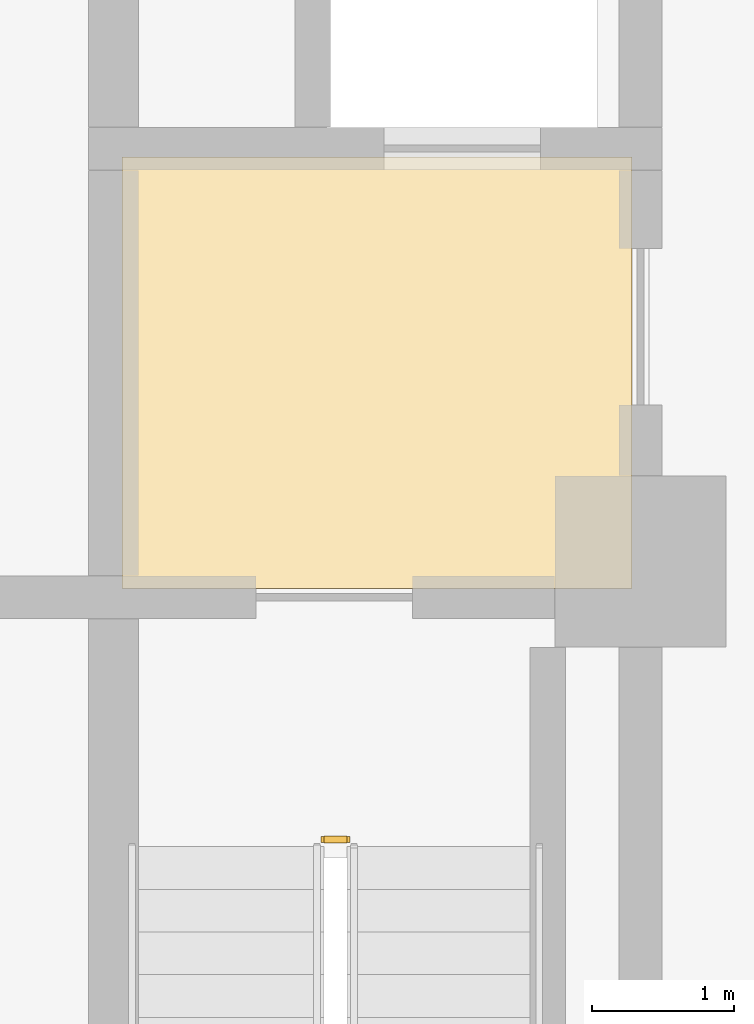
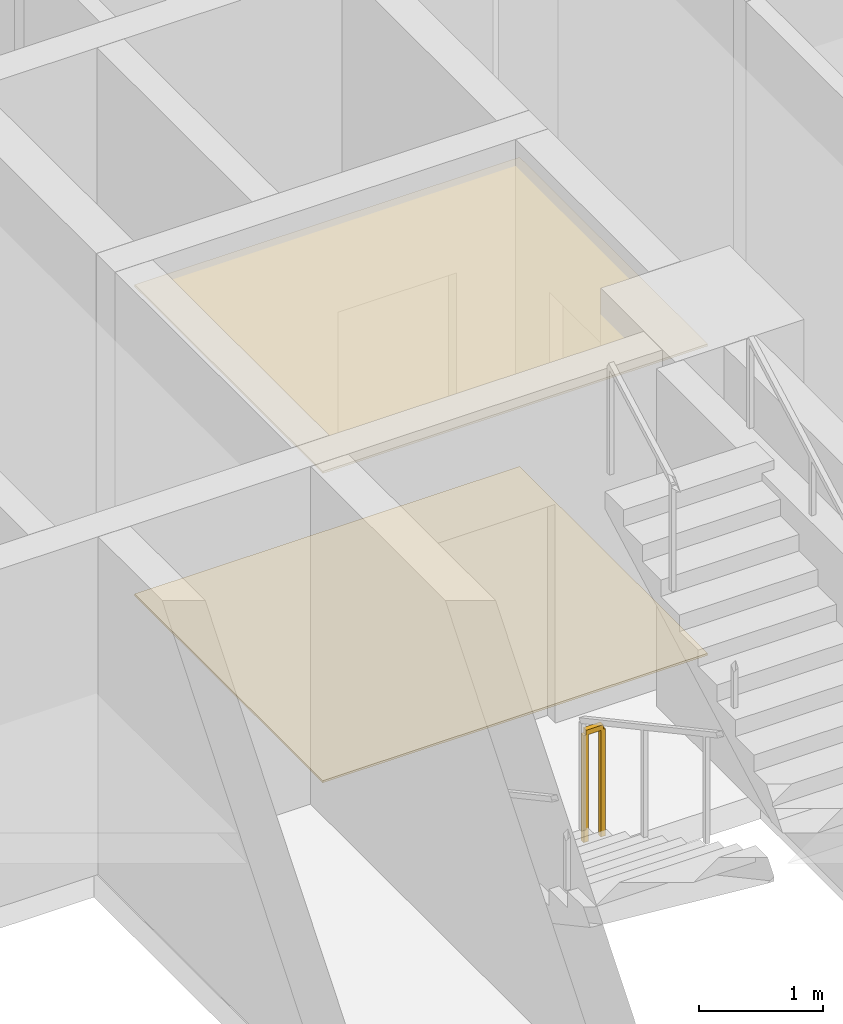
# One storey, part 11 of 14: 2 coverings, 1 railing.
"""IFC4 building model written with IfcOpenShell, lengths in metres."""

from ifc_helpers import new_model, si_unit, direction, frame, origin, origin_2d, place, context, subcontext, project, spatial, polyline, rectangle, outline, extrude, material, layer, layer_set, type_object, element, save


model = new_model("IFC4")

# Units and contexts
model_context = context("Model", 3, precision=1e-05, world=origin(), true_north=direction((0.0, 1.0)))
body_context = subcontext(model_context, "Body", "Model", "MODEL_VIEW")
ifc_project = project(units=[si_unit("LENGTHUNIT", "METRE"), si_unit("AREAUNIT", "SQUARE_METRE"), si_unit("VOLUMEUNIT", "CUBIC_METRE"), si_unit("PLANEANGLEUNIT", "RADIAN"), si_unit("MASSUNIT", "GRAM", prefix="KILO")], contexts=[model_context])

# Site, building, storey
site_placement = place(None, origin())
site = spatial("IfcSite", under=ifc_project, at=site_placement, CompositionType="ELEMENT")
building_placement = place(site_placement, origin())
building = spatial("IfcBuilding", under=site, at=building_placement, Name="Zulmaris Gate Convention Tower", CompositionType="ELEMENT")
storey_placement = place(building_placement, frame((0.0, 0.0, 41.47998046875)))
storey = spatial("IfcBuildingStorey", under=building, at=storey_placement, Name="L09", CompositionType="ELEMENT", Elevation=41.47998046875)

# Coverings
ifc_material_1 = material(Name="Mineral Fibre Acoustic Ceiling Tile")
ifc_layer_1 = layer(ifc_material_1, 0.02001953125, Name="Mineral Fibre Acoustic Ceiling Tile")
ifc_layer_set_1 = layer_set([ifc_layer_1], Name="Mineral Fibre Acoustic Ceiling Tile")
covering_type_1 = type_object("IfcCoveringType", Name="CLG-ACOUSTIC-600", PredefinedType="CEILING", material=ifc_layer_set_1)
covering_1_placement = place(storey_placement, frame((0.0, 0.0, 3.0400390625)))
element("IfcCovering", 1, at=covering_1_placement, inside=storey, type_object=covering_type_1, Name="CLG-L09-R03", PredefinedType="CEILING", context=body_context, shape_type="SweptSolid", body=[
    extrude(outline(polyline([(-14.639892578125, -0.18994140625), (-11.06005859375, -0.18994140625), (-11.06005859375, 2.840087890625), (-14.639892578125, 2.840087890625), (-14.639892578125, -0.18994140625)])), origin(), (0.0, 0.0, 1.0), 0.02001953125),
])
ifc_material_2 = material(Name="Woven Acoustic Wool Carpet Tile")
ifc_layer_2 = layer(ifc_material_2, 0.02001953125, Name="Woven Acoustic Wool Carpet Tile")
ifc_layer_set_2 = layer_set([ifc_layer_2], Name="Woven Acoustic Wool Carpet Tile")
covering_type_2 = type_object("IfcCoveringType", Name="FLR-CARPET-12", PredefinedType="FLOORING", material=ifc_layer_set_2)
covering_2_placement = place(storey_placement, origin())
element("IfcCovering", 2, at=covering_2_placement, inside=storey, type_object=covering_type_2, Name="FLR-L09-R03", PredefinedType="FLOORING", context=body_context, shape_type="SweptSolid", body=[
    extrude(outline(polyline([(-14.639892578125, -0.18994140625), (-11.06005859375, -0.18994140625), (-11.06005859375, 2.840087890625), (-14.639892578125, 2.840087890625), (-14.639892578125, -0.18994140625)])), origin(), (0.0, 0.0, 1.0), 0.02001953125),
])

# Railing
ifc_material_3 = material(Name="Painted Galvanised Steel", Category="steel")
railing_type = type_object("IfcRailingType", Name="RL-STG-1150", PredefinedType="GUARDRAIL", material=ifc_material_3)
railing_placement = place(storey_placement, frame((-13.219970703125, -1.949951171875, 0.0)))
element("IfcRailing", 3, at=railing_placement, inside=storey, type_object=railing_type, Name="L09 ST-1 stair guard 4", PredefinedType="GUARDRAIL", context=body_context, shape_type="SweptSolid", body=[
    extrude(rectangle(XDim=0.048095703125, YDim=0.048095703125, at=origin_2d()), frame((0.0, 0.0, 1.076171875), z_axis=(1.0, 0.0, 0.0), x_axis=(0.0, 1.0, 0.0)), (0.0, 0.0, 1.0), 0.159912109375),
    extrude(rectangle(XDim=0.0419921875, YDim=0.0419921875, at=origin_2d()), origin(), (0.0, 0.0, 1.0), 1.052001953125),
    extrude(rectangle(XDim=0.0419921875, YDim=0.0419921875, at=origin_2d()), frame((0.159912109375, 0.0, 0.0)), (0.0, 0.0, 1.0), 1.052001953125),
])

save(model, "model.ifc")
